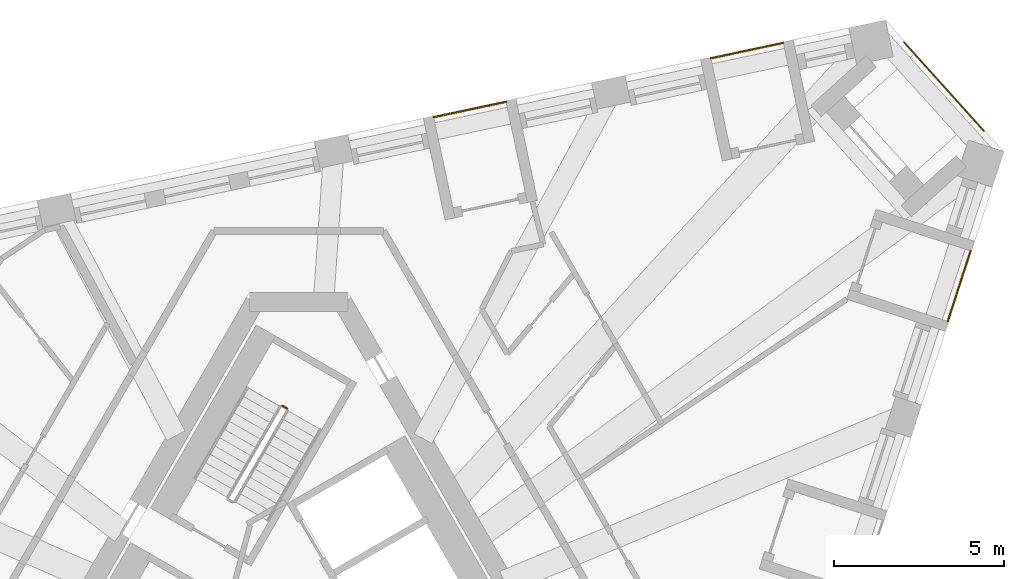
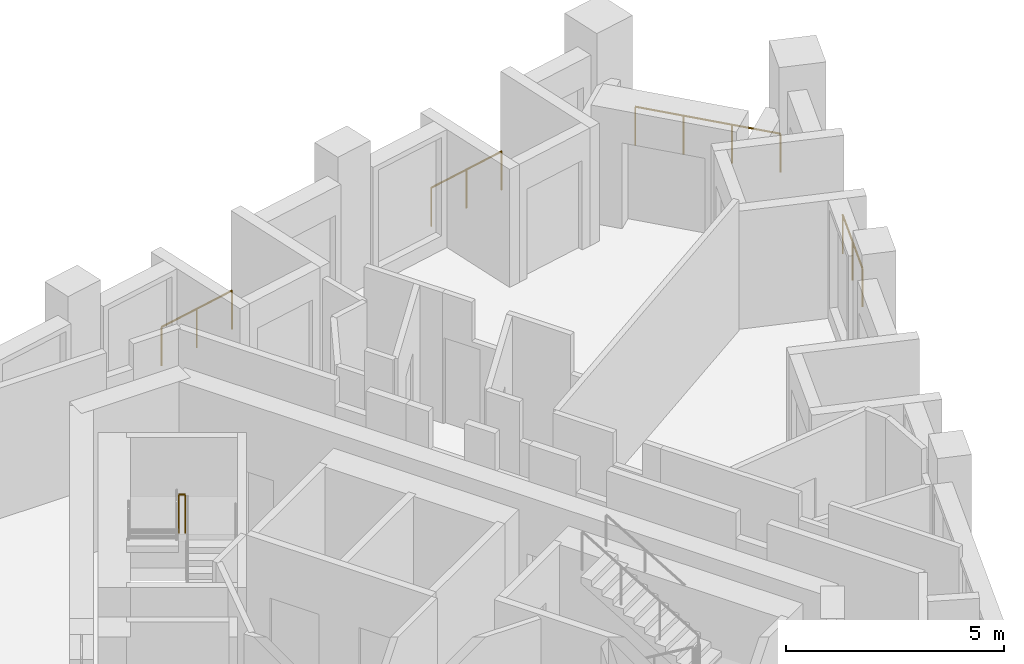
# One storey, part 12 of 12: 5 railings.
"""IFC4 building model written with IfcOpenShell, lengths in metres."""

from ifc_helpers import new_model, si_unit, direction, frame, origin, origin_2d, place, context, subcontext, project, spatial, circle, extrude, material, type_object, element, save


model = new_model("IFC4")

# Units and contexts
model_context = context("Model", 3, precision=1e-05, world=origin(), true_north=direction((0.0, 1.0)))
body_context = subcontext(model_context, "Body", "Model", "MODEL_VIEW")
ifc_project = project(units=[si_unit("LENGTHUNIT", "METRE"), si_unit("AREAUNIT", "SQUARE_METRE"), si_unit("VOLUMEUNIT", "CUBIC_METRE"), si_unit("PLANEANGLEUNIT", "RADIAN"), si_unit("MASSUNIT", "GRAM", prefix="KILO")], contexts=[model_context])

# Site, building, storey
site_placement = place(None, origin())
site = spatial("IfcSite", under=ifc_project, at=site_placement, CompositionType="ELEMENT")
building_placement = place(site_placement, origin())
building = spatial("IfcBuilding", under=site, at=building_placement, Name="Tramontana Tower", CompositionType="ELEMENT")
storey_placement = place(building_placement, frame((0.0, 0.0, 336.39990234375)))
storey = spatial("IfcBuildingStorey", under=building, at=storey_placement, Name="L77", CompositionType="ELEMENT", Elevation=336.39990234375)

# Railings
ifc_material_1 = material(Name="Laminated glass balustrade", Category="glass")
railing_type_1 = type_object("IfcRailingType", Name="GD1 Loggia glass balustrade 1100", PredefinedType="BALUSTRADE", material=ifc_material_1)
railing_1_placement = place(storey_placement, frame((19.0400390625, 10.1552734375, 0.0)))
element("IfcRailing", 1, at=railing_1_placement, inside=storey, type_object=railing_type_1, Name="Loggia balustrade L77 G8S1.13", PredefinedType="BALUSTRADE", context=body_context, shape_type="SweptSolid", body=[
    extrude(circle(Radius=0.02392578125, at=origin_2d()), frame((0.0, 0.0, 1.076171875), z_axis=(0.308966581759, 0.95107289487, 0.0), x_axis=(-0.95107289487, 0.308966581759, 0.0)), (0.0, 0.0, 1.0), 2.17138671875),
    extrude(circle(Radius=0.02099609375, at=origin_2d()), origin(), (0.0, 0.0, 1.0), 1.052001953125),
    extrude(circle(Radius=0.02099609375, at=origin_2d()), frame((0.33544921875, 1.03271484375, 0.0)), (0.0, 0.0, 1.0), 1.052001953125),
    extrude(circle(Radius=0.02099609375, at=origin_2d()), frame((0.6708984375, 2.065185546875, 0.0)), (0.0, 0.0, 1.0), 1.052001953125),
])
for number, where, name in (
    (2, (14.2138671875, 18.32568359375, 0.0), "Loggia balustrade L77 G8S2.1"),
    (3, (6.08154296875, 16.59716796875, 0.0), "Loggia balustrade L77 G8S2.4"),
):
    element("IfcRailing", number, at=place(storey_placement, frame(where)), inside=storey, type_object=railing_type_1, Name=name, PredefinedType="BALUSTRADE", context=body_context, shape_type="SweptSolid", body=[
        extrude(circle(Radius=0.02392578125, at=origin_2d()), frame((0.0, 0.0, 1.076171875), z_axis=(-0.978148276005, -0.207908513891, 0.0), x_axis=(0.207908513891, -0.978148276005, 0.0)), (0.0, 0.0, 1.0), 2.171142578125),
        extrude(circle(Radius=0.02099609375, at=origin_2d()), origin(), (0.0, 0.0, 1.0), 1.052001953125),
        extrude(circle(Radius=0.02099609375, at=origin_2d()), frame((-1.06201171875, -0.2255859375, 0.0)), (0.0, 0.0, 1.0), 1.052001953125),
        extrude(circle(Radius=0.02099609375, at=origin_2d()), frame((-2.123779296875, -0.451416015625, 0.0)), (0.0, 0.0, 1.0), 1.052001953125),
    ])
railing_2_placement = place(storey_placement, frame((17.7568359375, 18.34326171875, 0.0)))
element("IfcRailing", 4, at=railing_2_placement, inside=storey, type_object=railing_type_1, Name="Corner loggia balustrade L77 K82", PredefinedType="BALUSTRADE", context=body_context, shape_type="SweptSolid", body=[
    extrude(circle(Radius=0.02392578125, at=origin_2d()), frame((0.0, 0.0, 1.076171875), z_axis=(0.669134277936, -0.743141519559, 0.0), x_axis=(0.743141519559, 0.669134277936, 0.0)), (0.0, 0.0, 1.0), 3.5),
    extrude(circle(Radius=0.02099609375, at=origin_2d()), origin(), (0.0, 0.0, 1.0), 1.052001953125),
    extrude(circle(Radius=0.02099609375, at=origin_2d()), frame((0.78076171875, -0.866943359375, 0.0)), (0.0, 0.0, 1.0), 1.052001953125),
    extrude(circle(Radius=0.02099609375, at=origin_2d()), frame((1.561279296875, -1.734130859375, 0.0)), (0.0, 0.0, 1.0), 1.052001953125),
    extrude(circle(Radius=0.02099609375, at=origin_2d()), frame((2.342041015625, -2.60107421875, 0.0)), (0.0, 0.0, 1.0), 1.052001953125),
])
ifc_material_2 = material(Name="Painted steel", Category="steel")
railing_type_2 = type_object("IfcRailingType", Name="STAIR GUARD 1100", PredefinedType="GUARDRAIL", material=ifc_material_2)
railing_3_placement = place(storey_placement, frame((-0.345703125, 7.601318359375, 2.0)))
element("IfcRailing", 5, at=railing_3_placement, inside=storey, type_object=railing_type_2, Name="L77 ST1 stair guard 3", PredefinedType="GUARDRAIL", context=body_context, shape_type="SweptSolid", body=[
    extrude(circle(Radius=0.02392578125, at=origin_2d()), frame((0.0, 0.0, 1.076171875), z_axis=(-0.866131372301, 0.499816412211, 0.0), x_axis=(-0.499816412211, -0.866131372301, 0.0)), (0.0, 0.0, 1.0), 0.14990234375),
    extrude(circle(Radius=0.02099609375, at=origin_2d()), origin(), (0.0, 0.0, 1.0), 1.052001953125),
    extrude(circle(Radius=0.02099609375, at=origin_2d()), frame((-0.1298828125, 0.074951171875, 0.0)), (0.0, 0.0, 1.0), 1.052001953125),
])

save(model, "model.ifc")
